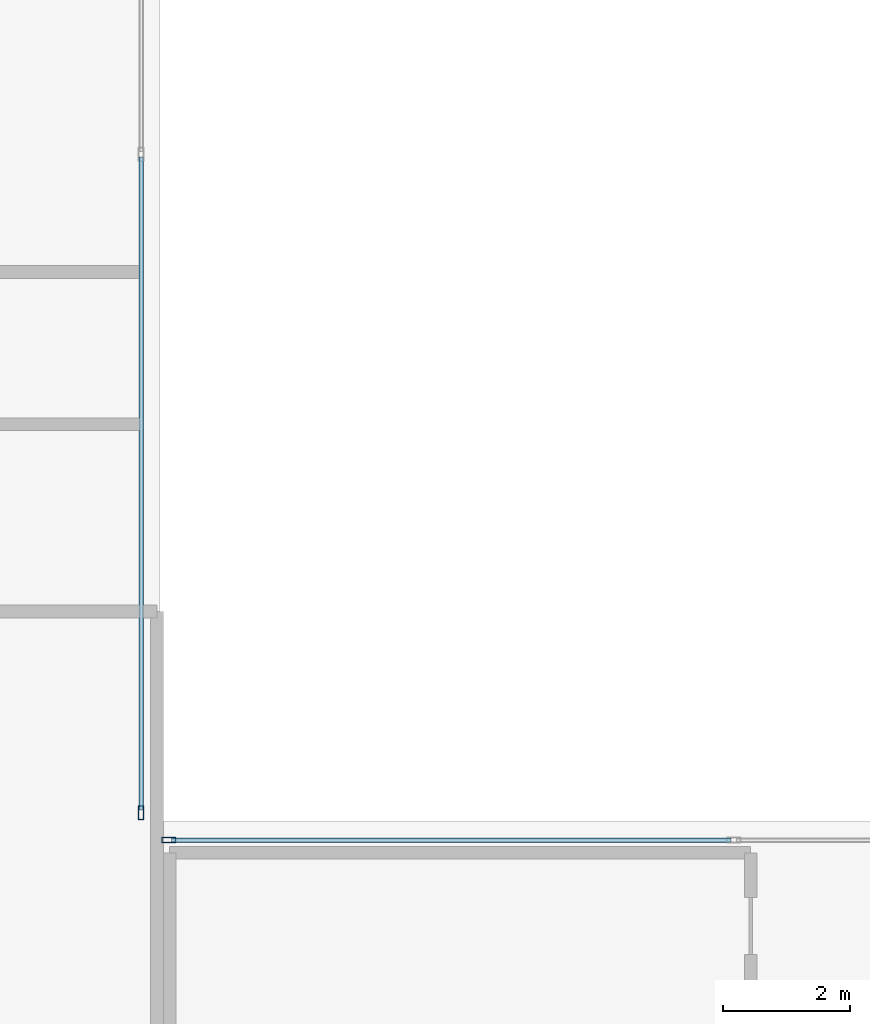
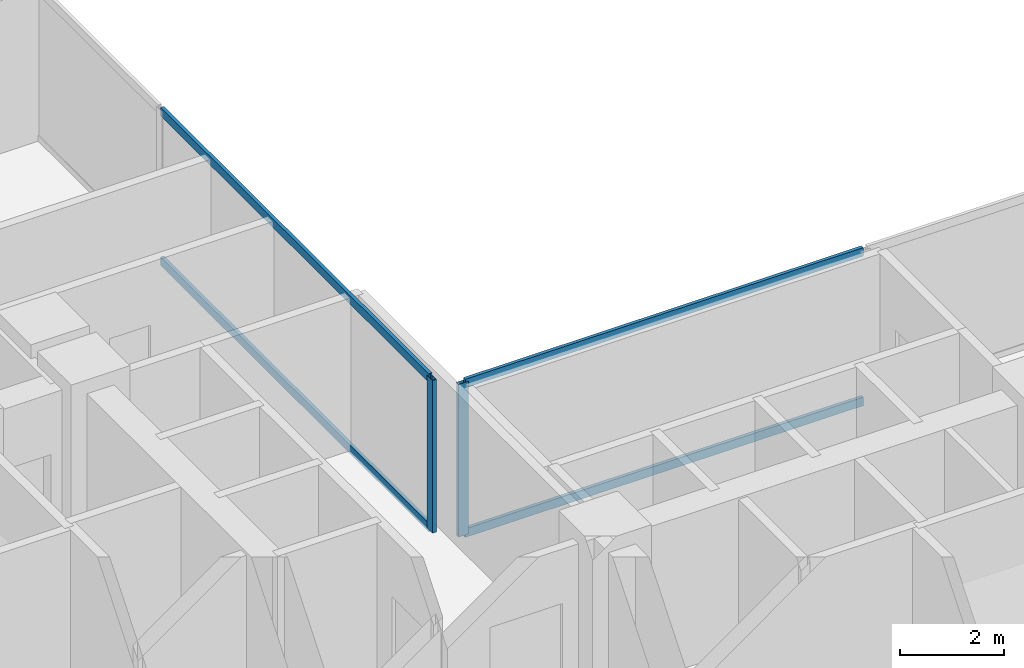
# One storey, part 7 of 27: 6 members, 2 elements without a shape of their own.
"""IFC4 building model written with IfcOpenShell, lengths in metres."""

from ifc_helpers import new_model, si_unit, direction, frame, origin, origin_2d, place, context, subcontext, project, spatial, hollow_rectangle, extrude, material, layer, layer_set, material_profile, profile_set, type_object, element, aggregate, save


model = new_model("IFC4")

# Units and contexts
model_context = context("Model", 3, precision=1e-05, world=origin(), true_north=direction((0.0, 1.0)))
body_context = subcontext(model_context, "Body", "Model", "MODEL_VIEW")
ifc_project = project(units=[si_unit("LENGTHUNIT", "METRE"), si_unit("AREAUNIT", "SQUARE_METRE"), si_unit("VOLUMEUNIT", "CUBIC_METRE"), si_unit("PLANEANGLEUNIT", "RADIAN"), si_unit("MASSUNIT", "GRAM", prefix="KILO"), si_unit("THERMODYNAMICTEMPERATUREUNIT", "KELVIN"), si_unit("POWERUNIT", "WATT")], contexts=[model_context])

# Site, building, storey
site_placement = place(None, origin())
site = spatial("IfcSite", under=ifc_project, at=site_placement, CompositionType="ELEMENT")
building_placement = place(site_placement, origin())
building = spatial("IfcBuilding", under=site, at=building_placement, Name="Svarakhadi Broadcast Tower", CompositionType="ELEMENT")
storey_placement = place(building_placement, frame((0.0, 0.0, 90.89990234375)))
storey = spatial("IfcBuildingStorey", under=building, at=storey_placement, Name="L21", CompositionType="ELEMENT", Elevation=90.89990234375)

# Curtain wall, member
ifc_material = material(Name="Anodised Bronze Aluminium AA 6063-T6", Category="aluminium")
ifc_layer = layer(ifc_material, 0.219970703125)
ifc_layer_set = layer_set([ifc_layer], Name="Anodised Bronze Aluminium AA 6063-T6")
curtain_wall_type = type_object("IfcCurtainWallType", Name="CW_Sys_02", PredefinedType="NOTDEFINED", material=ifc_layer_set)
curtain_wall_1_placement = place(storey_placement, origin())
curtain_wall_1 = element("IfcCurtainWall", 1, at=curtain_wall_1_placement, inside=storey, type_object=curtain_wall_type, Name="L21 Unitised Facade Curtain Wall 09", PredefinedType="NOTDEFINED")
ifc_material_profile_1 = material_profile(ifc_material, hollow_rectangle(XDim=0.0849609375, YDim=0.219970703125, WallThickness=0.006103515625, at=origin_2d()), Name="ALU MULLION 220x85x6")
ifc_profile_set_1 = profile_set([ifc_material_profile_1], Name="Anodised Bronze Aluminium AA 6063-T6")
member_type_1 = type_object("IfcMemberType", Name="CW_Sys_02_Mul", PredefinedType="MULLION", material=ifc_profile_set_1)
member_1_placement = place(storey_placement, frame((23.699951171875, 24.132568359375, 0.0), z_axis=(0.0, 0.0, 1.0), x_axis=(1.0, 0.0, 0.0)))
member_1 = element("IfcMember", 2, at=member_1_placement, type_object=member_type_1, Name="CW-02 mullion 3", PredefinedType="MULLION", context=body_context, shape_type="SweptSolid", body=[
    extrude(hollow_rectangle(XDim=0.0849609375, YDim=0.219970703125, WallThickness=0.006103515625, at=origin_2d()), origin(), (0.0, 0.0, 1.0), 3.5751953125),
])

curtain_wall_2_placement = place(storey_placement, origin())
curtain_wall_2 = element("IfcCurtainWall", 3, at=curtain_wall_2_placement, inside=storey, type_object=curtain_wall_type, Name="L21 Unitised Facade Curtain Wall 10", PredefinedType="NOTDEFINED")
member_2_placement = place(storey_placement, frame((24.132568359375, 23.699951171875, 0.0), z_axis=(0.0, 0.0, 1.0), x_axis=(0.0, 1.0, 0.0)))
member_2 = element("IfcMember", 4, at=member_2_placement, type_object=member_type_1, Name="CW-02 mullion 1", PredefinedType="MULLION", context=body_context, shape_type="SweptSolid", body=[
    extrude(hollow_rectangle(XDim=0.0849609375, YDim=0.219970703125, WallThickness=0.006103515625, at=origin_2d()), origin(), (0.0, 0.0, 1.0), 3.5751953125),
])

# Member
ifc_material_profile_2 = material_profile(ifc_material, hollow_rectangle(XDim=0.074951171875, YDim=0.199951171875, WallThickness=0.0048828125, at=origin_2d()), Name="ALU TRANSOM 200x75x5")
ifc_profile_set_2 = profile_set([ifc_material_profile_2], Name="Anodised Bronze Aluminium AA 6063-T6")
member_type_2 = type_object("IfcMemberType", Name="CW_Sys_02_Trn", PredefinedType="USERDEFINED", material=ifc_profile_set_2)
member_3_placement = place(storey_placement, frame((23.699951171875, 34.45751953125, 0.03759765625), z_axis=(0.0, -1.0, 0.0), x_axis=(1.0, 0.0, 0.0)))
member_3 = element("IfcMember", 5, at=member_3_placement, type_object=member_type_2, Name="CW-02 transom 2.1", ObjectType="TRANSOM", PredefinedType="USERDEFINED", context=body_context, shape_type="SweptSolid", body=[
    extrude(hollow_rectangle(XDim=0.074951171875, YDim=0.199951171875, WallThickness=0.0048828125, at=origin_2d()), origin(), (0.0, 0.0, 1.0), 10.282470703125),
])

member_4_placement = place(storey_placement, frame((23.699951171875, 34.45751953125, 3.53759765625), z_axis=(0.0, -1.0, 0.0), x_axis=(1.0, 0.0, 0.0)))
member_4 = element("IfcMember", 6, at=member_4_placement, type_object=member_type_2, Name="CW-02 transom 2.2", ObjectType="TRANSOM", PredefinedType="USERDEFINED", context=body_context, shape_type="SweptSolid", body=[
    extrude(hollow_rectangle(XDim=0.074951171875, YDim=0.199951171875, WallThickness=0.0048828125, at=origin_2d()), origin(), (0.0, 0.0, 1.0), 10.282470703125),
])

aggregate(curtain_wall_1, [member_1, member_3, member_4])

member_5_placement = place(storey_placement, frame((24.175048828125, 23.699951171875, 0.03759765625), z_axis=(1.0, 0.0, 0.0), x_axis=(0.0, 1.0, 0.0)))
member_5 = element("IfcMember", 7, at=member_5_placement, type_object=member_type_2, Name="CW-02 transom 1.1", ObjectType="TRANSOM", PredefinedType="USERDEFINED", context=body_context, shape_type="SweptSolid", body=[
    extrude(hollow_rectangle(XDim=0.074951171875, YDim=0.199951171875, WallThickness=0.0048828125, at=origin_2d()), origin(), (0.0, 0.0, 1.0), 8.8125),
])

member_6_placement = place(storey_placement, frame((24.175048828125, 23.699951171875, 3.53759765625), z_axis=(1.0, 0.0, 0.0), x_axis=(0.0, 1.0, 0.0)))
member_6 = element("IfcMember", 8, at=member_6_placement, type_object=member_type_2, Name="CW-02 transom 1.2", ObjectType="TRANSOM", PredefinedType="USERDEFINED", context=body_context, shape_type="SweptSolid", body=[
    extrude(hollow_rectangle(XDim=0.074951171875, YDim=0.199951171875, WallThickness=0.0048828125, at=origin_2d()), origin(), (0.0, 0.0, 1.0), 8.8125),
])

aggregate(curtain_wall_2, [member_2, member_5, member_6])

save(model, "model.ifc")
